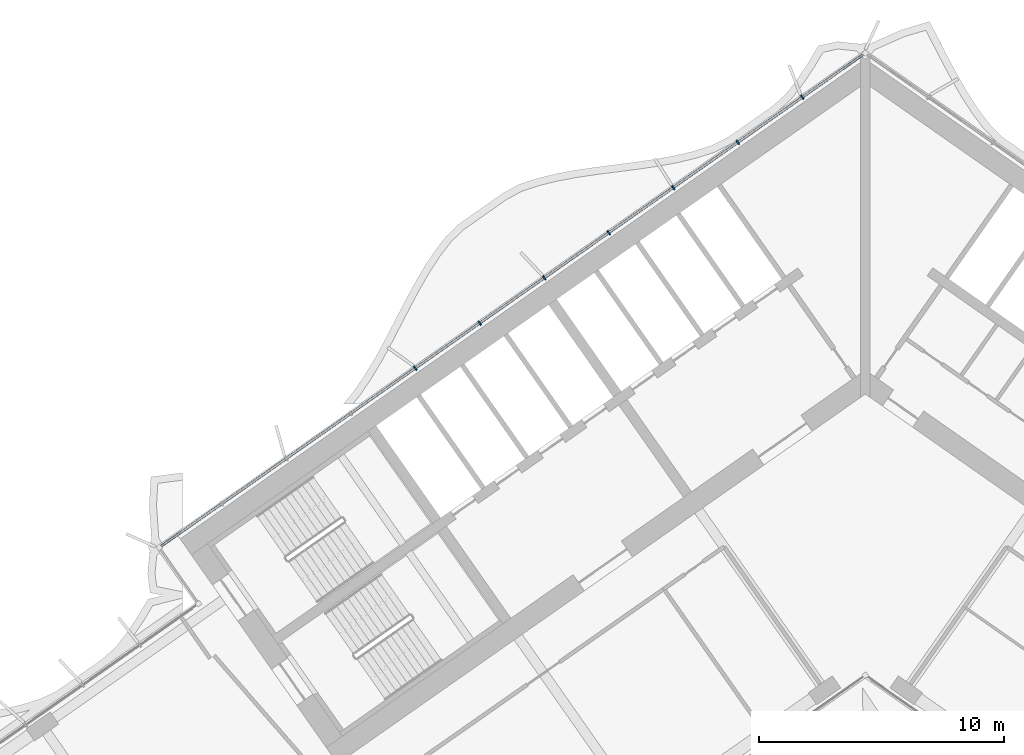
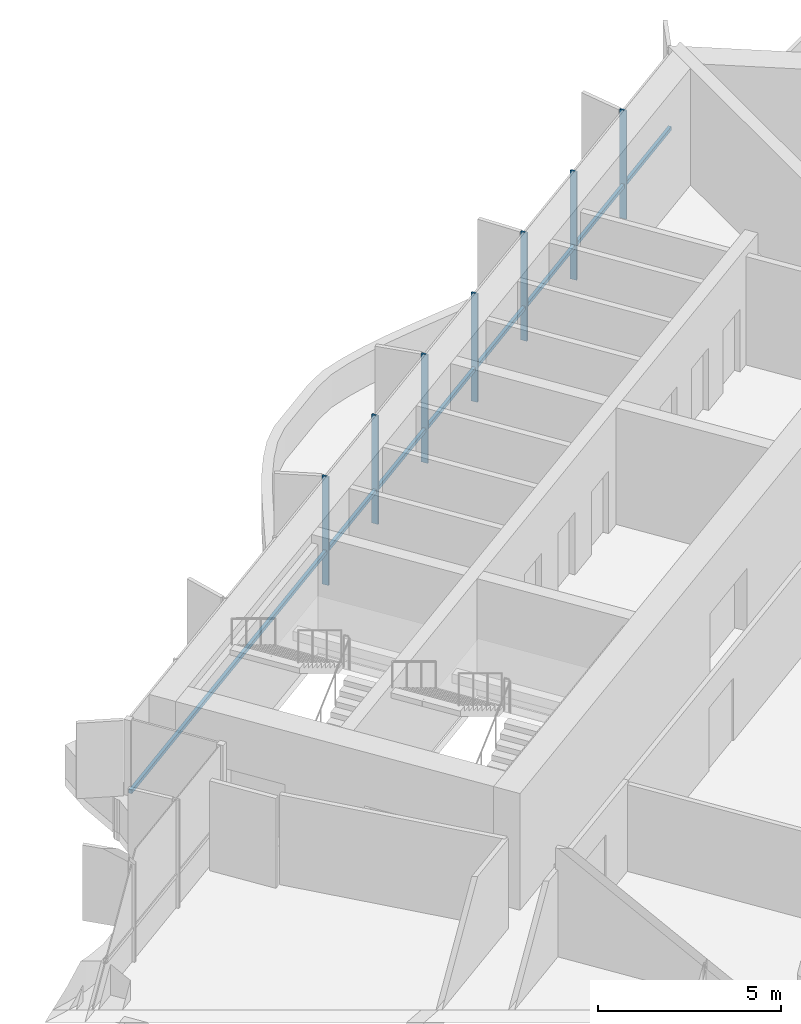
# One storey, part 7 of 21: 8 members, 1 element without a shape of its own.
"""IFC4 building model written with IfcOpenShell, lengths in metres."""

from ifc_helpers import new_model, si_unit, direction, frame, origin, origin_2d, place, context, subcontext, project, spatial, rectangle, extrude, material, material_profile, profile_set, type_object, element, aggregate, save


model = new_model("IFC4")

# Units and contexts
model_context = context("Model", 3, precision=1e-05, world=origin(), true_north=direction((0.0, 1.0)))
body_context = subcontext(model_context, "Body", "Model", "MODEL_VIEW")
ifc_project = project(units=[si_unit("LENGTHUNIT", "METRE"), si_unit("AREAUNIT", "SQUARE_METRE"), si_unit("VOLUMEUNIT", "CUBIC_METRE"), si_unit("PLANEANGLEUNIT", "RADIAN"), si_unit("MASSUNIT", "GRAM", prefix="KILO")], contexts=[model_context])

# Site, building, storey
site_placement = place(None, origin())
site = spatial("IfcSite", under=ifc_project, at=site_placement, CompositionType="ELEMENT")
building_placement = place(site_placement, origin())
building = spatial("IfcBuilding", under=site, at=building_placement, Name="Tel Ilan Convention Tower", CompositionType="ELEMENT")
storey_placement = place(building_placement, frame((0.0, 0.0, 151.5)))
storey = spatial("IfcBuildingStorey", under=building, at=storey_placement, Name="L34", CompositionType="ELEMENT", Elevation=151.5)

# Curtain wall, members
ifc_material_1 = material(Name="Aluminium, bronze anodised", Category="aluminium")
curtain_wall_type = type_object("IfcCurtainWallType", Name="CW2 STICK CURTAIN WALL, SPANDREL PANELS", PredefinedType="NOTDEFINED", material=ifc_material_1)
curtain_wall_placement = place(storey_placement, origin())
curtain_wall = element("IfcCurtainWall", 1, at=curtain_wall_placement, inside=storey, type_object=curtain_wall_type, Name="Curtain wall CW2-27.01", PredefinedType="NOTDEFINED")
ifc_material_2 = material(Name="Aluminium, bronze anodised", Category="aluminium")
ifc_material_profile_1 = material_profile(ifc_material_2, rectangle(XDim=0.06005859375, YDim=0.199951171875, at=origin_2d()), Name="CW MULLION 60x200")
ifc_profile_set_1 = profile_set([ifc_material_profile_1], Name="Aluminium, bronze anodised")
member_type_1 = type_object("IfcMemberType", Name="CW MULLION 60x200", PredefinedType="MULLION", material=ifc_profile_set_1)
member_1_placement = place(storey_placement, frame((-2.5751953125, 10.892822265625, 0.0), z_axis=(0.0, 0.0, 1.0), x_axis=(-0.819152044289, -0.573576436351, 0.0)))
member_1 = element("IfcMember", 2, at=member_1_placement, type_object=member_type_1, Name="Mullion", PredefinedType="MULLION", context=body_context, shape_type="SweptSolid", body=[
    extrude(rectangle(XDim=0.06005859375, YDim=0.199951171875, at=origin_2d()), origin(), (0.0, 0.0, 1.0), 3.6201171875),
])
member_2_placement = place(storey_placement, frame((-5.207763671875, 9.049560546875, 0.0), z_axis=(0.0, 0.0, 1.0), x_axis=(-0.819152044289, -0.573576436351, 0.0)))
member_2 = element("IfcMember", 3, at=member_2_placement, type_object=member_type_1, Name="Mullion", PredefinedType="MULLION", context=body_context, shape_type="SweptSolid", body=[
    extrude(rectangle(XDim=0.06005859375, YDim=0.199951171875, at=origin_2d()), origin(), (0.0, 0.0, 1.0), 3.6201171875),
])
member_3_placement = place(storey_placement, frame((-7.840576171875, 7.2060546875, 0.0), z_axis=(0.0, 0.0, 1.0), x_axis=(-0.819152044289, -0.573576436351, 0.0)))
member_3 = element("IfcMember", 4, at=member_3_placement, type_object=member_type_1, Name="Mullion", PredefinedType="MULLION", context=body_context, shape_type="SweptSolid", body=[
    extrude(rectangle(XDim=0.06005859375, YDim=0.199951171875, at=origin_2d()), origin(), (0.0, 0.0, 1.0), 3.6201171875),
])
member_4_placement = place(storey_placement, frame((-10.47314453125, 5.36279296875, 0.0), z_axis=(0.0, 0.0, 1.0), x_axis=(-0.819152044289, -0.573576436351, 0.0)))
member_4 = element("IfcMember", 5, at=member_4_placement, type_object=member_type_1, Name="Mullion", PredefinedType="MULLION", context=body_context, shape_type="SweptSolid", body=[
    extrude(rectangle(XDim=0.06005859375, YDim=0.199951171875, at=origin_2d()), origin(), (0.0, 0.0, 1.0), 3.6201171875),
])
member_5_placement = place(storey_placement, frame((-13.105712890625, 3.519287109375, 0.0), z_axis=(0.0, 0.0, 1.0), x_axis=(-0.819152044289, -0.573576436351, 0.0)))
member_5 = element("IfcMember", 6, at=member_5_placement, type_object=member_type_1, Name="Mullion", PredefinedType="MULLION", context=body_context, shape_type="SweptSolid", body=[
    extrude(rectangle(XDim=0.06005859375, YDim=0.199951171875, at=origin_2d()), origin(), (0.0, 0.0, 1.0), 3.6201171875),
])
member_6_placement = place(storey_placement, frame((-15.73828125, 1.676025390625, 0.0), z_axis=(0.0, 0.0, 1.0), x_axis=(-0.819152044289, -0.573576436351, 0.0)))
member_6 = element("IfcMember", 7, at=member_6_placement, type_object=member_type_1, Name="Mullion", PredefinedType="MULLION", context=body_context, shape_type="SweptSolid", body=[
    extrude(rectangle(XDim=0.06005859375, YDim=0.199951171875, at=origin_2d()), origin(), (0.0, 0.0, 1.0), 3.6201171875),
])
member_7_placement = place(storey_placement, frame((-18.37109375, -0.16748046875, 0.0), z_axis=(0.0, 0.0, 1.0), x_axis=(-0.819152044289, -0.573576436351, 0.0)))
member_7 = element("IfcMember", 8, at=member_7_placement, type_object=member_type_1, Name="Mullion", PredefinedType="MULLION", context=body_context, shape_type="SweptSolid", body=[
    extrude(rectangle(XDim=0.06005859375, YDim=0.199951171875, at=origin_2d()), origin(), (0.0, 0.0, 1.0), 3.6201171875),
])
ifc_material_3 = material(Name="Aluminium, bronze anodised", Category="aluminium")
ifc_material_profile_2 = material_profile(ifc_material_3, rectangle(XDim=0.10009765625, YDim=0.1201171875, at=origin_2d()), Name="CW TRANSOM 100x120")
ifc_profile_set_2 = profile_set([ifc_material_profile_2], Name="Aluminium, bronze anodised")
member_type_2 = type_object("IfcMemberType", Name="CW TRANSOM 100x120", PredefinedType="USERDEFINED", material=ifc_profile_set_2)
member_8_placement = place(storey_placement, frame((-0.1064453125, 12.62158203125, 1.10009765625), z_axis=(-0.819150201937, -0.573579067494, 0.0), x_axis=(0.573579067494, -0.819150201937, 0.0)))
member_8 = element("IfcMember", 9, at=member_8_placement, type_object=member_type_2, Name="Transom", ObjectType="TRANSOM", PredefinedType="USERDEFINED", context=body_context, shape_type="SweptSolid", body=[
    extrude(rectangle(XDim=0.10009765625, YDim=0.1201171875, at=origin_2d()), origin(), (0.0, 0.0, 1.0), 34.9521484375),
])
aggregate(curtain_wall, [member_1, member_2, member_3, member_4, member_5, member_6, member_7, member_8])

save(model, "model.ifc")
